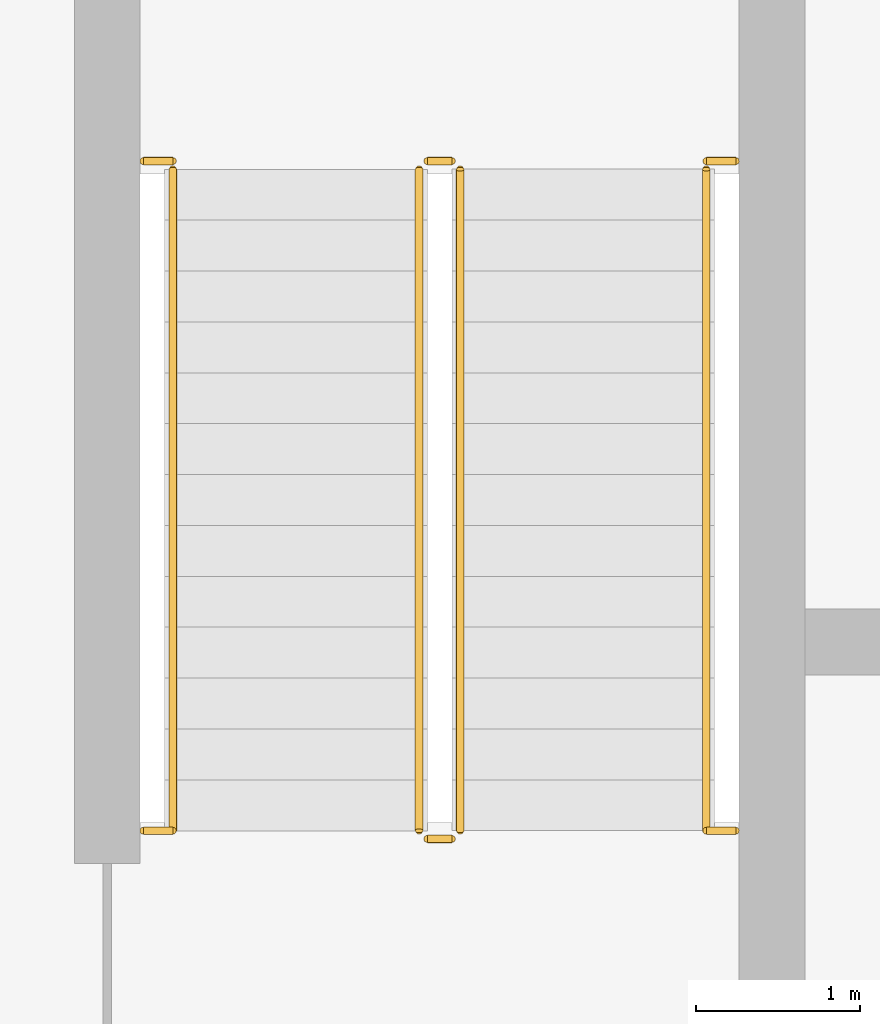
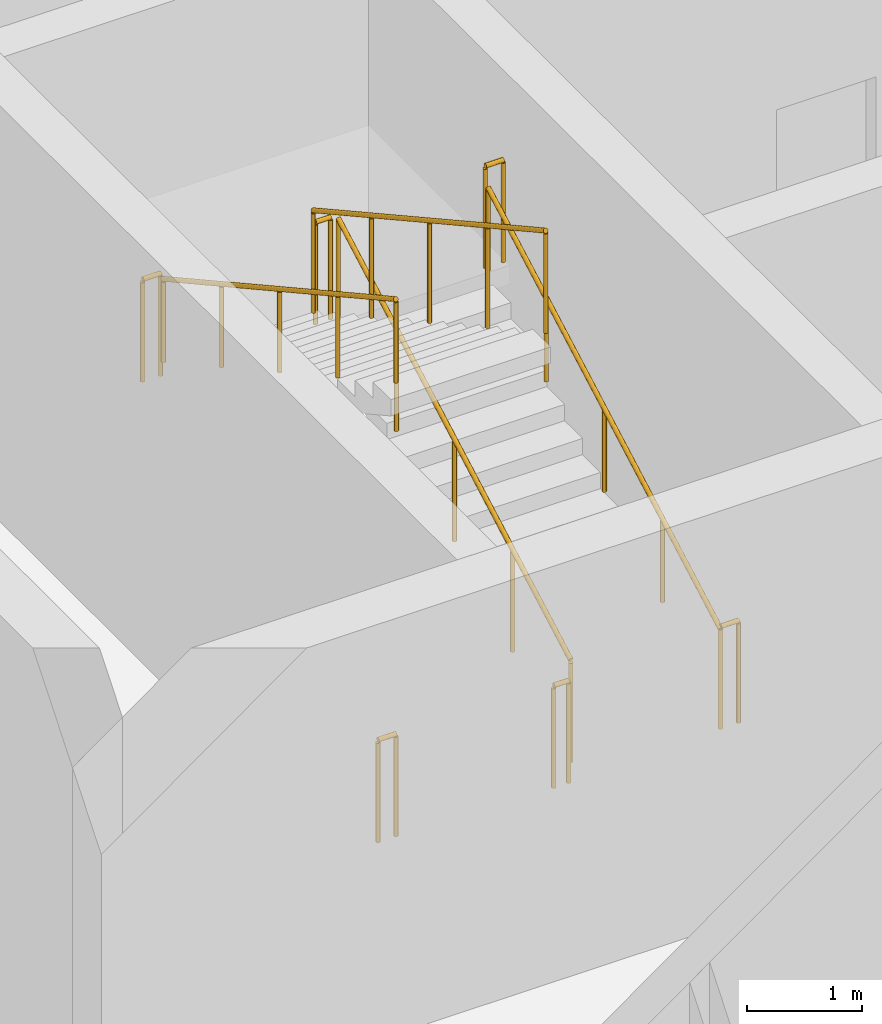
# One storey, part 13 of 15: 10 railings.
"""IFC4 building model written with IfcOpenShell, lengths in metres."""

from ifc_helpers import new_model, si_unit, direction, frame, origin, origin_2d, place, context, subcontext, project, spatial, circle, extrude, material, type_object, element, save


model = new_model("IFC4")

# Units and contexts
model_context = context("Model", 3, precision=1e-05, world=origin(), true_north=direction((0.0, 1.0)))
body_context = subcontext(model_context, "Body", "Model", "MODEL_VIEW")
ifc_project = project(units=[si_unit("LENGTHUNIT", "METRE"), si_unit("AREAUNIT", "SQUARE_METRE"), si_unit("VOLUMEUNIT", "CUBIC_METRE"), si_unit("PLANEANGLEUNIT", "RADIAN"), si_unit("MASSUNIT", "GRAM", prefix="KILO")], contexts=[model_context])

# Site, building, storey
site_placement = place(None, origin())
site = spatial("IfcSite", under=ifc_project, at=site_placement, CompositionType="ELEMENT")
building_placement = place(site_placement, origin())
building = spatial("IfcBuilding", under=site, at=building_placement, Name="Madar Terraces", CompositionType="ELEMENT")
storey_placement = place(building_placement, frame((0.0, 0.0, 291.5)))
storey = spatial("IfcBuildingStorey", under=building, at=storey_placement, Name="L76", CompositionType="ELEMENT", Elevation=291.5)

# Railings
ifc_material_1 = material(Name="Stainless steel railing", Category="steel")
railing_type_1 = type_object("IfcRailingType", Name="Stair guard 1100", PredefinedType="GUARDRAIL", material=ifc_material_1)
railing_1_placement = place(storey_placement, frame((21.199951171875, 17.60009765625, 0.17138671875)))
element("IfcRailing", 1, at=railing_1_placement, inside=storey, type_object=railing_type_1, Name="L76 ST1 stair guard 1", PredefinedType="GUARDRAIL", context=body_context, shape_type="SweptSolid", body=[
    extrude(circle(Radius=0.02392578125, at=origin_2d()), frame((0.0, 0.0, 1.076171875), z_axis=(0.0, 0.875100925707, 0.483940461035), x_axis=(-1.0, 0.0, 0.0)), (0.0, 0.0, 1.0), 4.60498046875),
    extrude(circle(Radius=0.02099609375, at=origin_2d()), origin(), (0.0, 0.0, 1.0), 1.052001953125),
    extrude(circle(Radius=0.02099609375, at=origin_2d()), frame((0.0, 1.00732421875, 0.55712890625)), (0.0, 0.0, 1.0), 1.052001953125),
    extrude(circle(Radius=0.02099609375, at=origin_2d()), frame((0.0, 2.014892578125, 1.1142578125)), (0.0, 0.0, 1.0), 1.052001953125),
    extrude(circle(Radius=0.02099609375, at=origin_2d()), frame((0.0, 3.0224609375, 1.67138671875)), (0.0, 0.0, 1.0), 1.052001953125),
    extrude(circle(Radius=0.02099609375, at=origin_2d()), frame((0.0, 4.02978515625, 2.228515625)), (0.0, 0.0, 1.0), 1.052001953125),
])
railing_2_placement = place(storey_placement, frame((21.14990234375, 21.679931640625, 2.39990234375)))
element("IfcRailing", 2, at=railing_2_placement, inside=storey, type_object=railing_type_1, Name="L76 ST1 stair guard 2", PredefinedType="GUARDRAIL", context=body_context, shape_type="SweptSolid", body=[
    extrude(circle(Radius=0.02392578125, at=origin_2d()), frame((0.0, 0.0, 1.076171875), z_axis=(-1.0, 0.0, 0.0), x_axis=(0.0, -1.0, 0.0)), (0.0, 0.0, 1.0), 0.14990234375),
    extrude(circle(Radius=0.02099609375, at=origin_2d()), origin(), (0.0, 0.0, 1.0), 1.052001953125),
    extrude(circle(Radius=0.02099609375, at=origin_2d()), frame((-0.14990234375, 0.0, 0.0)), (0.0, 0.0, 1.0), 1.052001953125),
])
railing_3_placement = place(storey_placement, frame((20.949951171875, 21.6298828125, 2.571533203125)))
element("IfcRailing", 3, at=railing_3_placement, inside=storey, type_object=railing_type_1, Name="L76 ST1 stair guard 3", PredefinedType="GUARDRAIL", context=body_context, shape_type="SweptSolid", body=[
    extrude(circle(Radius=0.02392578125, at=origin_2d()), frame((0.0, 0.0, 1.076171875), z_axis=(0.0, -0.875100925707, 0.483940461035), x_axis=(1.0, 0.0, 0.0)), (0.0, 0.0, 1.0), 4.60498046875),
    extrude(circle(Radius=0.02099609375, at=origin_2d()), origin(), (0.0, 0.0, 1.0), 1.052001953125),
    extrude(circle(Radius=0.02099609375, at=origin_2d()), frame((0.0, -1.00732421875, 0.55712890625)), (0.0, 0.0, 1.0), 1.052001953125),
    extrude(circle(Radius=0.02099609375, at=origin_2d()), frame((0.0, -2.014892578125, 1.1142578125)), (0.0, 0.0, 1.0), 1.052001953125),
    extrude(circle(Radius=0.02099609375, at=origin_2d()), frame((0.0, -3.0224609375, 1.67138671875)), (0.0, 0.0, 1.0), 1.052001953125),
    extrude(circle(Radius=0.02099609375, at=origin_2d()), frame((0.0, -4.02978515625, 2.228515625)), (0.0, 0.0, 1.0), 1.052001953125),
])
railing_4_placement = place(storey_placement, frame((21.14990234375, 17.550048828125, 0.0)))
element("IfcRailing", 4, at=railing_4_placement, inside=storey, type_object=railing_type_1, Name="L76 ST1 stair guard 4", PredefinedType="GUARDRAIL", context=body_context, shape_type="SweptSolid", body=[
    extrude(circle(Radius=0.02392578125, at=origin_2d()), frame((0.0, 0.0, 1.076171875), z_axis=(-1.0, 0.0, 0.0), x_axis=(0.0, -1.0, 0.0)), (0.0, 0.0, 1.0), 0.14990234375),
    extrude(circle(Radius=0.02099609375, at=origin_2d()), origin(), (0.0, 0.0, 1.0), 1.052001953125),
    extrude(circle(Radius=0.02099609375, at=origin_2d()), frame((-0.14990234375, 0.0, 0.0)), (0.0, 0.0, 1.0), 1.052001953125),
])
for number, where, name in (
    (5, (19.27001953125, 21.679931640625, 2.39990234375), "L76 stair guard seat 1"),
    (6, (22.699951171875, 21.679931640625, 2.39990234375), "L76 stair guard seat 2"),
    (7, (19.27001953125, 17.60009765625, 0.0), "L76 stair guard floor 1"),
    (8, (22.699951171875, 17.60009765625, 0.0), "L76 stair guard floor 2"),
):
    element("IfcRailing", number, at=place(storey_placement, frame(where)), inside=storey, type_object=railing_type_1, Name=name, PredefinedType="GUARDRAIL", context=body_context, shape_type="SweptSolid", body=[
        extrude(circle(Radius=0.02392578125, at=origin_2d()), frame((0.0, 0.0, 1.076171875), z_axis=(1.0, 0.0, 0.0), x_axis=(0.0, 1.0, 0.0)), (0.0, 0.0, 1.0), 0.179931640625),
        extrude(circle(Radius=0.02099609375, at=origin_2d()), origin(), (0.0, 0.0, 1.0), 1.052001953125),
        extrude(circle(Radius=0.02099609375, at=origin_2d()), frame((0.179931640625, 0.0, 0.0)), (0.0, 0.0, 1.0), 1.052001953125),
    ])
ifc_material_2 = material(Name="Stainless steel railing", Category="steel")
railing_type_2 = type_object("IfcRailingType", Name="Stair handrail 900", PredefinedType="HANDRAIL", material=ifc_material_2)
railing_5_placement = place(storey_placement, frame((22.699951171875, 17.60009765625, 0.17138671875)))
element("IfcRailing", 9, at=railing_5_placement, inside=storey, type_object=railing_type_2, Name="L76 ST1 stair handrail 1", PredefinedType="HANDRAIL", context=body_context, shape_type="SweptSolid", body=[
    extrude(circle(Radius=0.02392578125, at=origin_2d()), frame((0.0, 0.0, 0.8759765625), z_axis=(0.0, 0.875100925707, 0.483940461035), x_axis=(-1.0, 0.0, 0.0)), (0.0, 0.0, 1.0), 4.60498046875),
    extrude(circle(Radius=0.02099609375, at=origin_2d()), origin(), (0.0, 0.0, 1.0), 0.851806640625),
    extrude(circle(Radius=0.02099609375, at=origin_2d()), frame((0.0, 1.00732421875, 0.55712890625)), (0.0, 0.0, 1.0), 0.851806640625),
    extrude(circle(Radius=0.02099609375, at=origin_2d()), frame((0.0, 2.014892578125, 1.1142578125)), (0.0, 0.0, 1.0), 0.851806640625),
    extrude(circle(Radius=0.02099609375, at=origin_2d()), frame((0.0, 3.0224609375, 1.67138671875)), (0.0, 0.0, 1.0), 0.851806640625),
    extrude(circle(Radius=0.02099609375, at=origin_2d()), frame((0.0, 4.02978515625, 2.228515625)), (0.0, 0.0, 1.0), 0.851806640625),
])
railing_6_placement = place(storey_placement, frame((19.449951171875, 21.6298828125, 2.571533203125)))
element("IfcRailing", 10, at=railing_6_placement, inside=storey, type_object=railing_type_2, Name="L76 ST1 stair handrail 2", PredefinedType="HANDRAIL", context=body_context, shape_type="SweptSolid", body=[
    extrude(circle(Radius=0.02392578125, at=origin_2d()), frame((0.0, 0.0, 0.8759765625), z_axis=(0.0, -0.875100925707, 0.483940461035), x_axis=(1.0, 0.0, 0.0)), (0.0, 0.0, 1.0), 4.60498046875),
    extrude(circle(Radius=0.02099609375, at=origin_2d()), origin(), (0.0, 0.0, 1.0), 0.851806640625),
    extrude(circle(Radius=0.02099609375, at=origin_2d()), frame((0.0, -1.00732421875, 0.55712890625)), (0.0, 0.0, 1.0), 0.851806640625),
    extrude(circle(Radius=0.02099609375, at=origin_2d()), frame((0.0, -2.014892578125, 1.1142578125)), (0.0, 0.0, 1.0), 0.851806640625),
    extrude(circle(Radius=0.02099609375, at=origin_2d()), frame((0.0, -3.0224609375, 1.67138671875)), (0.0, 0.0, 1.0), 0.851806640625),
    extrude(circle(Radius=0.02099609375, at=origin_2d()), frame((0.0, -4.02978515625, 2.228515625)), (0.0, 0.0, 1.0), 0.851806640625),
])

save(model, "model.ifc")
